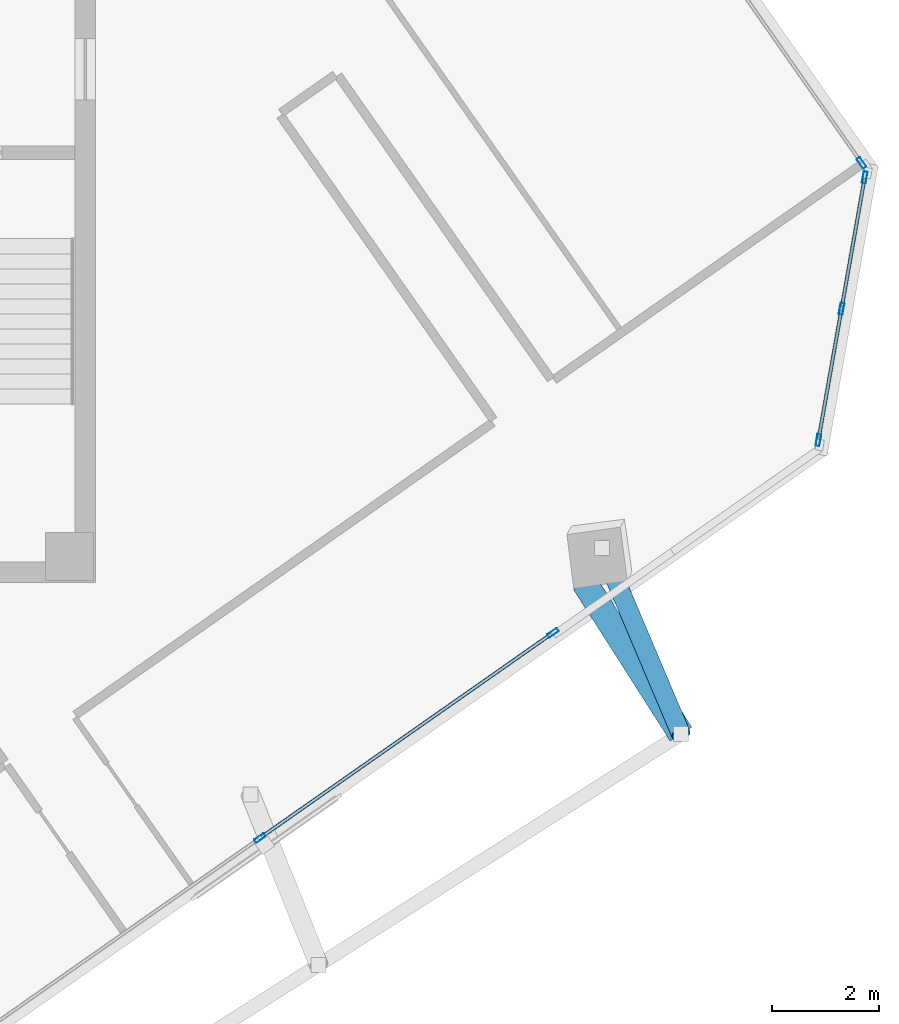
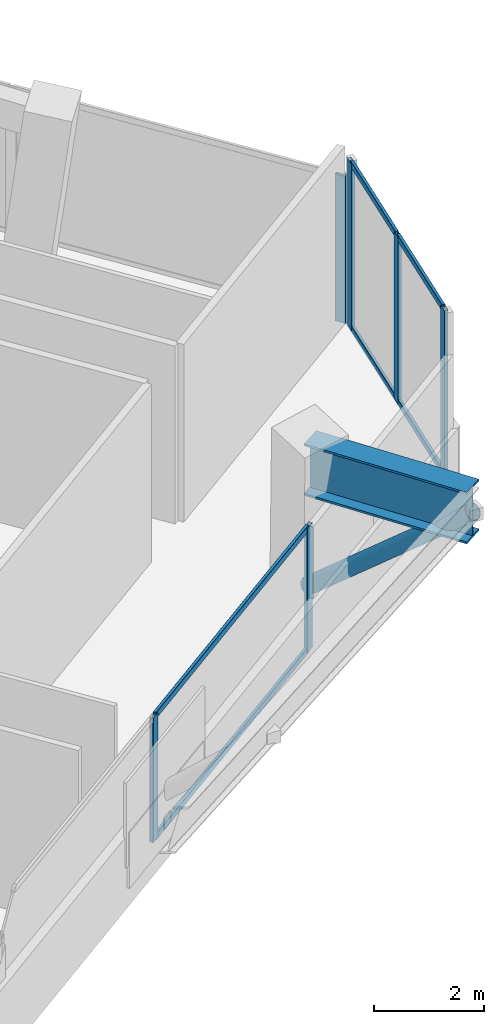
# One storey, part 6 of 15: 13 members, 1 beam, 3 elements without a shape of their own.
"""IFC4 building model written with IfcOpenShell, lengths in metres."""

import ifcopenshell
import ifcopenshell.guid

model = None  # the IFC model being written
_history = None  # IfcOwnerHistory: only IFC2X3 demands one
_inside = {}  # id of a spatial element -> (the spatial element, [elements in it])
_under = {}  # id of a project, library or spatial element -> (it, [spatial elements below it])
_declared = {}  # id of a project -> (the project, [libraries it declares])
_typed = {}  # id of a type object -> (the type object, [elements of that type])
_made_of = {}  # id of a material, layer set ... -> (it, [elements and type objects made of it])


def new_model(schema):
    """Start an empty IFC model of exactly this schema.

    Asked for "IFC4X3", IfcOpenShell would pick the latest addendum, in which some entities
    have other attributes; the version numbers below select the first issue.
    IFC2X3 requires an IfcOwnerHistory on every rooted entity: one is made here for all.
    """
    global model, _history
    if schema == "IFC4X3":
        model = ifcopenshell.file(schema_version=(4, 3, 0, 0))
    else:
        model = ifcopenshell.file(schema=schema)
    _inside.clear()
    _under.clear()
    _declared.clear()
    _typed.clear()
    _made_of.clear()
    _history = None
    if model.schema == "IFC2X3":
        org = make("IfcOrganization", Name="unknown")
        user = make(
            "IfcPersonAndOrganization",
            ThePerson=make("IfcPerson", FamilyName="unknown"),
            TheOrganization=org,
        )
        app = make(
            "IfcApplication",
            ApplicationDeveloper=org,
            Version="unknown",
            ApplicationFullName="unknown",
            ApplicationIdentifier="unknown",
        )
        _history = make(
            "IfcOwnerHistory",
            OwningUser=user,
            OwningApplication=app,
            ChangeAction="ADDED",
            CreationDate=0,
        )
    return model


def make(cls, **values):
    """One entity of the class cls with the attributes given. An attribute that is None is left unset."""
    return model.create_entity(
        cls, **{name: value for name, value in values.items() if value is not None}
    )


def rooted(cls, **values):
    """An entity with a GlobalId (a new one), such as an element, a storey or a relation."""
    return make(cls, GlobalId=ifcopenshell.guid.new(), OwnerHistory=_history, **values)


def si_unit(unit_type, name, prefix=None):
    """IfcSIUnit, for example si_unit("LENGTHUNIT", "METRE", prefix="MILLI")."""
    return make("IfcSIUnit", UnitType=unit_type, Prefix=prefix, Name=name)


def assignment(units):
    """IfcUnitAssignment: the units of a project."""
    return None if units is None else make("IfcUnitAssignment", Units=units)


def point(xyz):
    """IfcCartesianPoint."""
    return None if xyz is None else make("IfcCartesianPoint", Coordinates=xyz)


def direction(xyz):
    """IfcDirection."""
    return None if xyz is None else make("IfcDirection", DirectionRatios=xyz)


def frame(location, z_axis=None, x_axis=None):
    """IfcAxis2Placement3D, a coordinate frame: its origin and axes. An axis left out is left unset."""
    return make(
        "IfcAxis2Placement3D",
        Location=point(location),
        Axis=direction(z_axis),
        RefDirection=direction(x_axis),
    )


def frame_2d(location, x_axis=None):
    """IfcAxis2Placement2D, a coordinate frame in the plane: its origin and x axis."""
    return make(
        "IfcAxis2Placement2D", Location=point(location), RefDirection=direction(x_axis)
    )


def origin():
    """The frame at (0, 0, 0) with its axes left unset."""
    return frame((0.0, 0.0, 0.0))


def origin_2d():
    """The frame at (0, 0) in the plane with its x axis left unset."""
    return frame_2d((0.0, 0.0))


def place(relative_to, where):
    """IfcLocalPlacement: puts the frame where relative to a parent placement (None: the world)."""
    return make(
        "IfcLocalPlacement", PlacementRelTo=relative_to, RelativePlacement=where
    )


def context(
    kind, dimensions, precision=None, world=None, true_north=None, identifier=None
):
    """IfcGeometricRepresentationContext, for example the 3D "Model" context."""
    return make(
        "IfcGeometricRepresentationContext",
        ContextIdentifier=identifier,
        ContextType=kind,
        CoordinateSpaceDimension=dimensions,
        Precision=precision,
        WorldCoordinateSystem=world,
        TrueNorth=true_north,
    )


def subcontext(parent, identifier, kind, view, scale=None):
    """IfcGeometricRepresentationSubContext, for example "Body" below "Model"."""
    return make(
        "IfcGeometricRepresentationSubContext",
        ContextIdentifier=identifier,
        ContextType=kind,
        ParentContext=parent,
        TargetScale=scale,
        TargetView=view,
    )


def project(units=None, contexts=None):
    """IfcProject with its units and contexts."""
    return rooted(
        "IfcProject",
        Name="project",
        RepresentationContexts=contexts,
        UnitsInContext=assignment(units),
    )


def spatial(cls, under=None, at=None, **own):
    """A site, building, storey or space (cls), placed at a placement, below another one or the project."""
    s = rooted(cls, ObjectPlacement=at, **own)
    if under is not None:
        _under.setdefault(under.id(), (under, []))[1].append(s)
    return s


def profile(cls, at=None, kind="AREA", **sizes):
    """A parametric profile (cls). Its sizes go by their IFC names, for example OverallWidth=200.0."""
    return make(cls, ProfileType=kind, Position=at, **sizes)


def hollow_rectangle(**sizes):
    """IfcRectangleHollowProfileDef."""
    return profile("IfcRectangleHollowProfileDef", **sizes)


def hollow_circle(**sizes):
    """IfcCircleHollowProfileDef."""
    return profile("IfcCircleHollowProfileDef", **sizes)


def i_section(**sizes):
    """IfcIShapeProfileDef."""
    return profile("IfcIShapeProfileDef", **sizes)


def extrude(swept, where, along, depth):
    """IfcExtrudedAreaSolid: the profile swept, set in the frame where, extruded along a direction by depth."""
    return make(
        "IfcExtrudedAreaSolid",
        SweptArea=swept,
        Position=where,
        ExtrudedDirection=direction(along),
        Depth=depth,
    )


def shape(context_of_items, identifier, shape_type, items):
    """IfcShapeRepresentation: the items that make up one representation, for example the "Body"."""
    return make(
        "IfcShapeRepresentation",
        ContextOfItems=context_of_items,
        RepresentationIdentifier=identifier,
        RepresentationType=shape_type,
        Items=items,
    )


def source(mapping_origin, context_of_items, identifier, shape_type, items):
    """IfcRepresentationMap: a shape defined once, which mapped items show again and again."""
    return make(
        "IfcRepresentationMap",
        MappingOrigin=mapping_origin,
        MappedRepresentation=shape(context_of_items, identifier, shape_type, items),
    )


def transform(
    local_origin,
    x_axis=None,
    y_axis=None,
    z_axis=None,
    scale=None,
    scale2=None,
    scale3=None,
    uniform=True,
):
    """IfcCartesianTransformationOperator3D, or its non-uniform kind. x_axis, y_axis, z_axis: its Axis1, 2, 3."""
    if uniform:
        return make(
            "IfcCartesianTransformationOperator3D",
            Axis1=direction(x_axis),
            Axis2=direction(y_axis),
            LocalOrigin=point(local_origin),
            Scale=scale,
            Axis3=direction(z_axis),
        )
    return make(
        "IfcCartesianTransformationOperator3DnonUniform",
        Axis1=direction(x_axis),
        Axis2=direction(y_axis),
        LocalOrigin=point(local_origin),
        Scale=scale,
        Axis3=direction(z_axis),
        Scale2=scale2,
        Scale3=scale3,
    )


def mapped(mapping_source, mapping_target):
    """IfcMappedItem: shows the shape of a source again, moved by a transform."""
    return make(
        "IfcMappedItem", MappingSource=mapping_source, MappingTarget=mapping_target
    )


def material(Name=None, Category=None):
    """IfcMaterial."""
    return make("IfcMaterial", Name=Name, Category=Category)


def material_profile(
    of_material, cross_section, Name=None, Category=None, Priority=None
):
    """IfcMaterialProfile: a cross section and its material."""
    return make(
        "IfcMaterialProfile",
        Name=Name,
        Material=of_material,
        Profile=cross_section,
        Priority=Priority,
        Category=Category,
    )


def profile_set(profiles, Name=None, composite=None):
    """IfcMaterialProfileSet."""
    return make(
        "IfcMaterialProfileSet",
        Name=Name,
        MaterialProfiles=profiles,
        CompositeProfile=composite,
    )


def made_of(thing, what):
    """Note that an element or type object is made of a material, layer set ...; save() writes the relation."""
    if what is not None:
        _made_of.setdefault(what.id(), (what, []))[1].append(thing)
    return thing


def type_object(cls, material=None, **own):
    """A type object (cls), such as IfcWallType, which elements share."""
    return made_of(rooted(cls, **own), material)


def element(
    cls,
    number,
    at=None,
    inside=None,
    cuts=None,
    type_object=None,
    material=None,
    context=None,
    identifier="Body",
    shape_type=None,
    held_by="IfcProductDefinitionShape",
    body=None,
    shapes=None,
    **own,
):
    """One element of the class cls, such as IfcWall. Its Tag is "e" and its number.

    at: its placement. inside: the storey or other place that contains it. cuts: it is an
    opening in that element (IfcRelVoidsElement). A single representation is given by context,
    identifier, shape_type and body (its items); several are given by shapes. held_by: the class
    of the entity that holds the representations. save() writes the other relations.
    """
    e = rooted(cls, Tag="e%d" % number, ObjectPlacement=at, **own)
    if body is not None:
        shapes = [shape(context, identifier, shape_type, body)]
    if shapes is not None:
        e.Representation = make(held_by, Representations=shapes)
    if inside is not None:
        _inside.setdefault(inside.id(), (inside, []))[1].append(e)
    if cuts is not None:
        rooted(
            "IfcRelVoidsElement", RelatingBuildingElement=cuts, RelatedOpeningElement=e
        )
    if type_object is not None:
        _typed.setdefault(type_object.id(), (type_object, []))[1].append(e)
    return made_of(e, material)


def aggregate(whole, parts):
    """IfcRelAggregates: a whole, such as a stair, and the parts it consists of."""
    return rooted("IfcRelAggregates", RelatingObject=whole, RelatedObjects=parts)


def save(model, path):
    """Write the relations noted so far, then the file.

    IfcRelAggregates (storeys below a building ...), IfcRelContainedInSpatialStructure (elements
    in a storey), IfcRelDefinesByType, IfcRelAssociatesMaterial and IfcRelDeclares: one each for
    every whole, place, type object, material and project.
    """
    for whole, parts in _under.values():
        aggregate(whole, parts)
    for where, things in _inside.values():
        rooted(
            "IfcRelContainedInSpatialStructure",
            RelatedElements=things,
            RelatingStructure=where,
        )
    for kind, things in _typed.values():
        rooted("IfcRelDefinesByType", RelatedObjects=things, RelatingType=kind)
    for what, things in _made_of.values():
        rooted("IfcRelAssociatesMaterial", RelatedObjects=things, RelatingMaterial=what)
    for by, libraries in _declared.values():
        rooted("IfcRelDeclares", RelatingContext=by, RelatedDefinitions=libraries)
    model.write(path)


model = new_model("IFC4")

# Units and contexts
model_context = context("Model", 3, precision=1e-05, world=origin(), true_north=direction((0.0, 1.0)))
body_context = subcontext(model_context, "Body", "Model", "MODEL_VIEW")
ifc_project = project(units=[si_unit("LENGTHUNIT", "METRE"), si_unit("AREAUNIT", "SQUARE_METRE"), si_unit("VOLUMEUNIT", "CUBIC_METRE"), si_unit("PLANEANGLEUNIT", "RADIAN"), si_unit("MASSUNIT", "GRAM", prefix="KILO")], contexts=[model_context])

# Site, building, storey
site_placement = place(None, origin())
site = spatial("IfcSite", under=ifc_project, at=site_placement, CompositionType="ELEMENT")
building_placement = place(site_placement, origin())
building = spatial("IfcBuilding", under=site, at=building_placement, Name="Torre Montelarca", CompositionType="ELEMENT")
storey_placement = place(building_placement, frame((0.0, 0.0, 303.0)))
storey = spatial("IfcBuildingStorey", under=building, at=storey_placement, Name="L68", CompositionType="ELEMENT", Elevation=303.0)

# Member
ifc_material_1 = material(Name="Steel ASTM A500 Grade C", Category="steel")
ifc_material_profile_1 = material_profile(ifc_material_1, hollow_circle(Radius=0.177734375, WallThickness=0.015869140625, at=origin_2d()), Name="HSS355.6X15.9", Category="steel")
ifc_profile_set_1 = profile_set([ifc_material_profile_1], Name="Steel ASTM A500 Grade C")
member_type_1 = type_object("IfcMemberType", Name="MB-BR-CHS356-EXT", PredefinedType="BRACE", material=ifc_profile_set_1)
shared_shape_1 = source(origin(), body_context, "Body", "SweptSolid", [
    extrude(hollow_circle(Radius=0.177734375, WallThickness=0.015869140625, at=origin_2d()), origin(), (0.0, 0.0, 1.0), 4.9638671875),
])
member_1_placement = place(storey_placement, frame((36.3701171875, 24.7109375, 0.14990234375), z_axis=(0.295687471614, -0.698446071922, 0.651722336388), x_axis=(0.920876832545, 0.389853638283, 0.0)))
element("IfcMember", 1, at=member_1_placement, inside=storey, type_object=member_type_1, Name="L69 Sliding Tray Exterior Diagonal Raker Strut E3", PredefinedType="BRACE", context=body_context, shape_type="MappedRepresentation", body=[
    mapped(shared_shape_1, transform((0.0, 0.0, 0.0), scale=1.0)),
])

# Beam
ifc_material_2 = material(Name="Steel ASTM A572 Grade 50", Category="steel")
ifc_material_profile_2 = material_profile(ifc_material_2, i_section(OverallWidth=0.47998046875, OverallDepth=1.14990234375, WebThickness=0.02197265625, FlangeThickness=0.044921875, at=origin_2d()), Name="PG1150X480X22X45", Category="steel")
ifc_profile_set_2 = profile_set([ifc_material_profile_2], Name="Steel ASTM A572 Grade 50")
beam_type = type_object("IfcBeamType", Name="BM-CG-PG1400-EXT", PredefinedType="USERDEFINED", material=ifc_profile_set_2)
shared_shape_2 = source(origin(), body_context, "Body", "SweptSolid", [
    extrude(i_section(OverallWidth=0.47998046875, OverallDepth=1.14990234375, WebThickness=0.02197265625, FlangeThickness=0.044921875, at=origin_2d()), origin(), (0.0, 0.0, 1.0), 3.349853515625),
])
beam_placement = place(storey_placement, frame((36.0380859375, 24.069091796875, 3.385009765625), z_axis=(0.537290429262, -0.843397293465, 0.0), x_axis=(0.843397293465, 0.537290429262, 0.0)))
element("IfcBeam", 2, at=beam_placement, inside=storey, type_object=beam_type, Name="L68 Sliding Tray Cantilever Girder East Y=40m (FLR)", ObjectType="CANTILEVER GIRDER", PredefinedType="USERDEFINED", context=body_context, shape_type="MappedRepresentation", body=[
    mapped(shared_shape_2, transform((0.0, 0.0, 0.0), scale=1.0)),
])

# Curtain wall, members
ifc_material_3 = material(Name="Insulated low-E laminated glass", Category="glass")
curtain_wall_type = type_object("IfcCurtainWallType", Name="CW-SYS-Z4", PredefinedType="USERDEFINED", material=ifc_material_3)
curtain_wall_1_placement = place(storey_placement, origin())
curtain_wall_1 = element("IfcCurtainWall", 3, at=curtain_wall_1_placement, inside=storey, type_object=curtain_wall_type, Name="L68 Curtain Wall Run CW-T3-L68-E07-B1", ObjectType="UNITISED GLAZING", PredefinedType="USERDEFINED")
ifc_material_4 = material(Name="Anodised aluminium AA 6063-T6", Category="aluminium")
ifc_material_profile_3 = material_profile(ifc_material_4, hollow_rectangle(XDim=0.074951171875, YDim=0.219970703125, WallThickness=0.0048828125, InnerFilletRadius=0.0048828125, OuterFilletRadius=0.010009765625, at=origin_2d()), Name="ALU75X220X5", Category="aluminium")
ifc_profile_set_3 = profile_set([ifc_material_profile_3], Name="Anodised aluminium AA 6063-T6")
member_type_2 = type_object("IfcMemberType", Name="CWM-ALU220", PredefinedType="MULLION", material=ifc_profile_set_3)
shared_shape_3 = source(origin(), body_context, "Body", "SweptSolid", [
    extrude(hollow_rectangle(XDim=0.074951171875, YDim=0.219970703125, WallThickness=0.0048828125, InnerFilletRadius=0.0048828125, OuterFilletRadius=0.010009765625, at=origin_2d()), origin(), (0.0, 0.0, 1.0), 3.719970703125),
])
member_2_placement = place(storey_placement, frame((40.39794921875, 26.72021484375, 0.0), z_axis=(0.0, 0.0, 1.0), x_axis=(-0.984814090721, 0.173612230899, 0.0)))
member_2 = element("IfcMember", 4, at=member_2_placement, type_object=member_type_2, Name="CW mullion 1", PredefinedType="MULLION", context=body_context, shape_type="MappedRepresentation", body=[
    mapped(shared_shape_3, transform((0.0, 0.0, 0.0), scale=1.0)),
])
member_3_placement = place(storey_placement, frame((40.8291015625, 29.166259765625, 0.0), z_axis=(0.0, 0.0, 1.0), x_axis=(-0.984814090721, 0.173612230899, 0.0)))
member_3 = element("IfcMember", 5, at=member_3_placement, type_object=member_type_2, Name="CW mullion 2", PredefinedType="MULLION", context=body_context, shape_type="MappedRepresentation", body=[
    mapped(shared_shape_3, transform((0.0, 0.0, 0.0), scale=1.0)),
])
member_4_placement = place(storey_placement, frame((41.26025390625, 31.612060546875, 0.0), z_axis=(0.0, 0.0, 1.0), x_axis=(-0.984814090721, 0.173612230899, 0.0)))
member_4 = element("IfcMember", 6, at=member_4_placement, type_object=member_type_2, Name="CW mullion 3", PredefinedType="MULLION", context=body_context, shape_type="MappedRepresentation", body=[
    mapped(shared_shape_3, transform((0.0, 0.0, 0.0), scale=1.0)),
])

curtain_wall_2_placement = place(storey_placement, origin())
curtain_wall_2 = element("IfcCurtainWall", 7, at=curtain_wall_2_placement, inside=storey, type_object=curtain_wall_type, Name="L68 Curtain Wall Run CW-T3-L68-E06-B1", ObjectType="UNITISED GLAZING", PredefinedType="USERDEFINED")
shared_shape_4 = source(origin(), body_context, "Body", "SweptSolid", [
    extrude(hollow_rectangle(XDim=0.074951171875, YDim=0.219970703125, WallThickness=0.0048828125, InnerFilletRadius=0.0048828125, OuterFilletRadius=0.010009765625, at=origin_2d()), origin(), (0.0, 0.0, 1.0), 2.77490234375),
])
member_5_placement = place(storey_placement, frame((29.996337890625, 19.30810546875, 0.0), z_axis=(0.0, 0.0, 1.0), x_axis=(-0.573571525713, 0.819155482733, 0.0)))
member_5 = element("IfcMember", 8, at=member_5_placement, type_object=member_type_2, Name="CW mullion 2", PredefinedType="MULLION", context=body_context, shape_type="MappedRepresentation", body=[
    mapped(shared_shape_4, transform((0.0, 0.0, 0.0), scale=1.0)),
])
member_6_placement = place(storey_placement, frame((35.453857421875, 23.12939453125, 0.0), z_axis=(0.0, 0.0, 1.0), x_axis=(-0.573571525713, 0.819155482733, 0.0)))
member_6 = element("IfcMember", 9, at=member_6_placement, type_object=member_type_2, Name="CW mullion 3", PredefinedType="MULLION", context=body_context, shape_type="MappedRepresentation", body=[
    mapped(shared_shape_4, transform((0.0, 0.0, 0.0), scale=1.0)),
])

# Member
ifc_material_profile_4 = material_profile(ifc_material_4, hollow_rectangle(XDim=0.06494140625, YDim=0.139892578125, WallThickness=0.00390625, InnerFilletRadius=0.00390625, OuterFilletRadius=0.008056640625, at=origin_2d()), Name="ALU65X140X4", Category="aluminium")
ifc_profile_set_4 = profile_set([ifc_material_profile_4], Name="Anodised aluminium AA 6063-T6")
member_type_3 = type_object("IfcMemberType", Name="CWT-ALU140", PredefinedType="USERDEFINED", material=ifc_profile_set_4)
shared_shape_5 = source(origin(), body_context, "Body", "SweptSolid", [
    extrude(hollow_rectangle(XDim=0.06494140625, YDim=0.139892578125, WallThickness=0.00390625, InnerFilletRadius=0.00390625, OuterFilletRadius=0.008056640625, at=origin_2d()), origin(), (0.0, 0.0, 1.0), 2.40869140625),
])
member_7_placement = place(storey_placement, frame((40.404541015625, 26.757080078125, 0.032470703125), z_axis=(0.173530903918, 0.984828424339, 0.0), x_axis=(-0.984828424339, 0.173530903918, 0.0)))
member_7 = element("IfcMember", 10, at=member_7_placement, type_object=member_type_3, Name="CW transom 1.1", ObjectType="TRANSOM", PredefinedType="USERDEFINED", context=body_context, shape_type="MappedRepresentation", body=[
    mapped(shared_shape_5, transform((0.0, 0.0, 0.0), scale=1.0)),
])

member_8_placement = place(storey_placement, frame((40.404541015625, 26.757080078125, 3.6875), z_axis=(0.173530903918, 0.984828424339, 0.0), x_axis=(-0.984828424339, 0.173530903918, 0.0)))
member_8 = element("IfcMember", 11, at=member_8_placement, type_object=member_type_3, Name="CW transom 1.2", ObjectType="TRANSOM", PredefinedType="USERDEFINED", context=body_context, shape_type="MappedRepresentation", body=[
    mapped(shared_shape_5, transform((0.0, 0.0, 0.0), scale=1.0)),
])

member_9_placement = place(storey_placement, frame((40.835693359375, 29.203125, 0.032470703125), z_axis=(0.173530903918, 0.984828424339, 0.0), x_axis=(-0.984828424339, 0.173530903918, 0.0)))
member_9 = element("IfcMember", 12, at=member_9_placement, type_object=member_type_3, Name="CW transom 2.1", ObjectType="TRANSOM", PredefinedType="USERDEFINED", context=body_context, shape_type="MappedRepresentation", body=[
    mapped(shared_shape_5, transform((0.0, 0.0, 0.0), scale=1.0)),
])

member_10_placement = place(storey_placement, frame((40.835693359375, 29.203125, 3.6875), z_axis=(0.173530903918, 0.984828424339, 0.0), x_axis=(-0.984828424339, 0.173530903918, 0.0)))
member_10 = element("IfcMember", 13, at=member_10_placement, type_object=member_type_3, Name="CW transom 2.2", ObjectType="TRANSOM", PredefinedType="USERDEFINED", context=body_context, shape_type="MappedRepresentation", body=[
    mapped(shared_shape_5, transform((0.0, 0.0, 0.0), scale=1.0)),
])

aggregate(curtain_wall_1, [member_2, member_3, member_4, member_7, member_8, member_9, member_10])

shared_shape_6 = source(origin(), body_context, "Body", "SweptSolid", [
    extrude(hollow_rectangle(XDim=0.06494140625, YDim=0.139892578125, WallThickness=0.00390625, InnerFilletRadius=0.00390625, OuterFilletRadius=0.008056640625, at=origin_2d()), origin(), (0.0, 0.0, 1.0), 6.58740234375),
])
member_11_placement = place(storey_placement, frame((30.027099609375, 19.32958984375, 0.032470703125), z_axis=(0.819151818078, 0.573576759414, 0.0), x_axis=(-0.573576759414, 0.819151818078, 0.0)))
member_11 = element("IfcMember", 14, at=member_11_placement, type_object=member_type_3, Name="CW transom 2.1", ObjectType="TRANSOM", PredefinedType="USERDEFINED", context=body_context, shape_type="MappedRepresentation", body=[
    mapped(shared_shape_6, transform((0.0, 0.0, 0.0), scale=1.0)),
])

member_12_placement = place(storey_placement, frame((30.027099609375, 19.32958984375, 2.742431640625), z_axis=(0.819151818078, 0.573576759414, 0.0), x_axis=(-0.573576759414, 0.819151818078, 0.0)))
member_12 = element("IfcMember", 15, at=member_12_placement, type_object=member_type_3, Name="CW transom 2.2", ObjectType="TRANSOM", PredefinedType="USERDEFINED", context=body_context, shape_type="MappedRepresentation", body=[
    mapped(shared_shape_6, transform((0.0, 0.0, 0.0), scale=1.0)),
])

aggregate(curtain_wall_2, [member_5, member_6, member_11, member_12])

# Curtain wall, member
curtain_wall_3_placement = place(storey_placement, origin())
curtain_wall_3 = element("IfcCurtainWall", 16, at=curtain_wall_3_placement, inside=storey, type_object=curtain_wall_type, Name="L68 Curtain Wall Run CW-T3-L68-E08-B1", ObjectType="UNITISED GLAZING", PredefinedType="USERDEFINED")
shared_shape_7 = source(origin(), body_context, "Body", "SweptSolid", [
    extrude(hollow_rectangle(XDim=0.074951171875, YDim=0.219970703125, WallThickness=0.0048828125, InnerFilletRadius=0.0048828125, OuterFilletRadius=0.010009765625, at=origin_2d()), origin(), (0.0, 0.0, 1.0), 3.27490234375),
])
member_13_placement = place(storey_placement, frame((41.200439453125, 31.8818359375, 0.0), z_axis=(0.0, 0.0, 1.0), x_axis=(-0.819158662032, -0.573566985118, 0.0)))
member_13 = element("IfcMember", 17, at=member_13_placement, type_object=member_type_2, Name="CW mullion 1", PredefinedType="MULLION", context=body_context, shape_type="MappedRepresentation", body=[
    mapped(shared_shape_7, transform((0.0, 0.0, 0.0), scale=1.0)),
])
aggregate(curtain_wall_3, [member_13])

save(model, "model.ifc")
